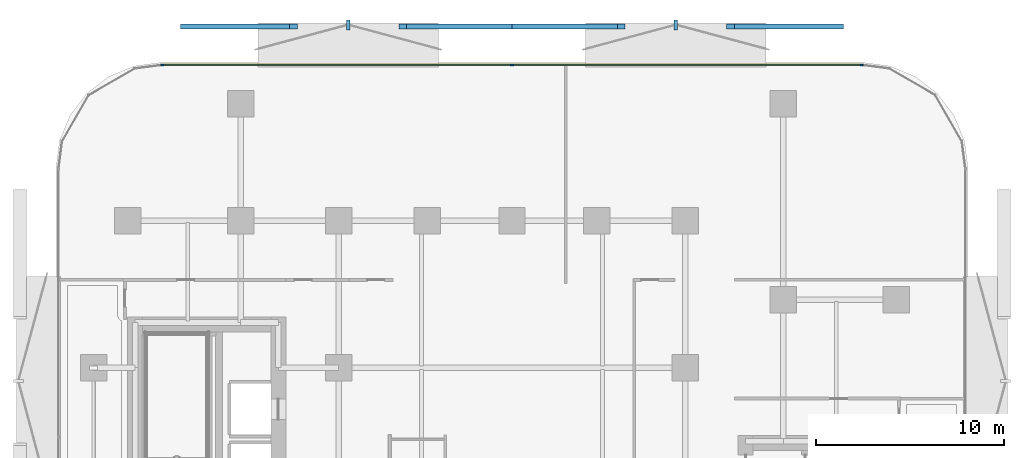
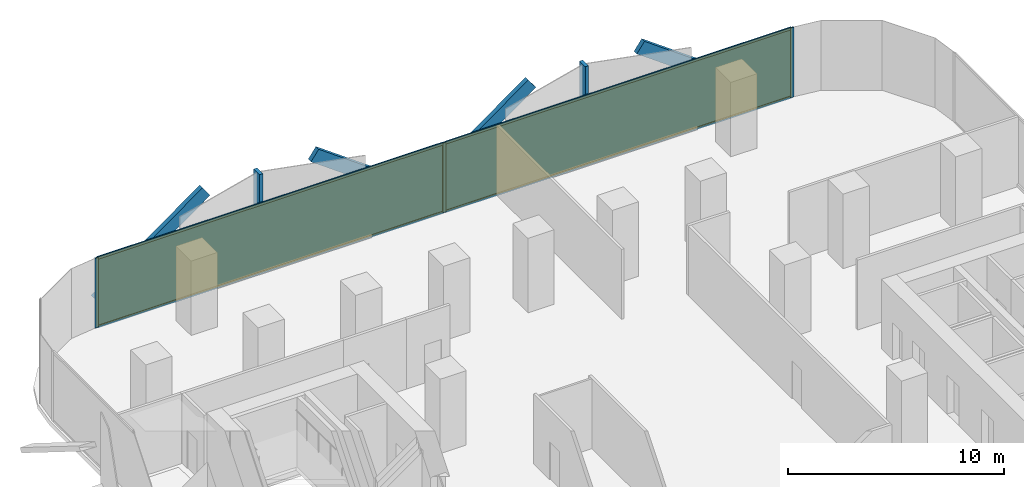
# One storey, part 10 of 16: 13 members, 2 plates, 1 curtain wall.
"""IFC4 building model written with IfcOpenShell, lengths in metres."""

import ifcopenshell
import ifcopenshell.guid

model = None  # the IFC model being written
_history = None  # IfcOwnerHistory: only IFC2X3 demands one
_inside = {}  # id of a spatial element -> (the spatial element, [elements in it])
_under = {}  # id of a project, library or spatial element -> (it, [spatial elements below it])
_declared = {}  # id of a project -> (the project, [libraries it declares])
_typed = {}  # id of a type object -> (the type object, [elements of that type])
_made_of = {}  # id of a material, layer set ... -> (it, [elements and type objects made of it])


def new_model(schema):
    """Start an empty IFC model of exactly this schema.

    Asked for "IFC4X3", IfcOpenShell would pick the latest addendum, in which some entities
    have other attributes; the version numbers below select the first issue.
    IFC2X3 requires an IfcOwnerHistory on every rooted entity: one is made here for all.
    """
    global model, _history
    if schema == "IFC4X3":
        model = ifcopenshell.file(schema_version=(4, 3, 0, 0))
    else:
        model = ifcopenshell.file(schema=schema)
    _inside.clear()
    _under.clear()
    _declared.clear()
    _typed.clear()
    _made_of.clear()
    _history = None
    if model.schema == "IFC2X3":
        org = make("IfcOrganization", Name="unknown")
        user = make(
            "IfcPersonAndOrganization",
            ThePerson=make("IfcPerson", FamilyName="unknown"),
            TheOrganization=org,
        )
        app = make(
            "IfcApplication",
            ApplicationDeveloper=org,
            Version="unknown",
            ApplicationFullName="unknown",
            ApplicationIdentifier="unknown",
        )
        _history = make(
            "IfcOwnerHistory",
            OwningUser=user,
            OwningApplication=app,
            ChangeAction="ADDED",
            CreationDate=0,
        )
    return model


def make(cls, **values):
    """One entity of the class cls with the attributes given. An attribute that is None is left unset."""
    return model.create_entity(
        cls, **{name: value for name, value in values.items() if value is not None}
    )


def rooted(cls, **values):
    """An entity with a GlobalId (a new one), such as an element, a storey or a relation."""
    return make(cls, GlobalId=ifcopenshell.guid.new(), OwnerHistory=_history, **values)


def si_unit(unit_type, name, prefix=None):
    """IfcSIUnit, for example si_unit("LENGTHUNIT", "METRE", prefix="MILLI")."""
    return make("IfcSIUnit", UnitType=unit_type, Prefix=prefix, Name=name)


def assignment(units):
    """IfcUnitAssignment: the units of a project."""
    return None if units is None else make("IfcUnitAssignment", Units=units)


def point(xyz):
    """IfcCartesianPoint."""
    return None if xyz is None else make("IfcCartesianPoint", Coordinates=xyz)


def direction(xyz):
    """IfcDirection."""
    return None if xyz is None else make("IfcDirection", DirectionRatios=xyz)


def frame(location, z_axis=None, x_axis=None):
    """IfcAxis2Placement3D, a coordinate frame: its origin and axes. An axis left out is left unset."""
    return make(
        "IfcAxis2Placement3D",
        Location=point(location),
        Axis=direction(z_axis),
        RefDirection=direction(x_axis),
    )


def frame_2d(location, x_axis=None):
    """IfcAxis2Placement2D, a coordinate frame in the plane: its origin and x axis."""
    return make(
        "IfcAxis2Placement2D", Location=point(location), RefDirection=direction(x_axis)
    )


def origin():
    """The frame at (0, 0, 0) with its axes left unset."""
    return frame((0.0, 0.0, 0.0))


def origin_2d():
    """The frame at (0, 0) in the plane with its x axis left unset."""
    return frame_2d((0.0, 0.0))


def place(relative_to, where):
    """IfcLocalPlacement: puts the frame where relative to a parent placement (None: the world)."""
    return make(
        "IfcLocalPlacement", PlacementRelTo=relative_to, RelativePlacement=where
    )


def context(
    kind, dimensions, precision=None, world=None, true_north=None, identifier=None
):
    """IfcGeometricRepresentationContext, for example the 3D "Model" context."""
    return make(
        "IfcGeometricRepresentationContext",
        ContextIdentifier=identifier,
        ContextType=kind,
        CoordinateSpaceDimension=dimensions,
        Precision=precision,
        WorldCoordinateSystem=world,
        TrueNorth=true_north,
    )


def subcontext(parent, identifier, kind, view, scale=None):
    """IfcGeometricRepresentationSubContext, for example "Body" below "Model"."""
    return make(
        "IfcGeometricRepresentationSubContext",
        ContextIdentifier=identifier,
        ContextType=kind,
        ParentContext=parent,
        TargetScale=scale,
        TargetView=view,
    )


def project(units=None, contexts=None):
    """IfcProject with its units and contexts."""
    return rooted(
        "IfcProject",
        Name="project",
        RepresentationContexts=contexts,
        UnitsInContext=assignment(units),
    )


def spatial(cls, under=None, at=None, **own):
    """A site, building, storey or space (cls), placed at a placement, below another one or the project."""
    s = rooted(cls, ObjectPlacement=at, **own)
    if under is not None:
        _under.setdefault(under.id(), (under, []))[1].append(s)
    return s


def profile(cls, at=None, kind="AREA", **sizes):
    """A parametric profile (cls). Its sizes go by their IFC names, for example OverallWidth=200.0."""
    return make(cls, ProfileType=kind, Position=at, **sizes)


def rectangle(**sizes):
    """IfcRectangleProfileDef."""
    return profile("IfcRectangleProfileDef", **sizes)


def extrude(swept, where, along, depth):
    """IfcExtrudedAreaSolid: the profile swept, set in the frame where, extruded along a direction by depth."""
    return make(
        "IfcExtrudedAreaSolid",
        SweptArea=swept,
        Position=where,
        ExtrudedDirection=direction(along),
        Depth=depth,
    )


def shape(context_of_items, identifier, shape_type, items):
    """IfcShapeRepresentation: the items that make up one representation, for example the "Body"."""
    return make(
        "IfcShapeRepresentation",
        ContextOfItems=context_of_items,
        RepresentationIdentifier=identifier,
        RepresentationType=shape_type,
        Items=items,
    )


def material(Name=None, Category=None):
    """IfcMaterial."""
    return make("IfcMaterial", Name=Name, Category=Category)


def layer(
    of_material, thickness, ventilated=None, Name=None, Category=None, Priority=None
):
    """IfcMaterialLayer: one layer of a wall or slab, of a material (None: an air gap)."""
    return make(
        "IfcMaterialLayer",
        Material=of_material,
        LayerThickness=thickness,
        IsVentilated=ventilated,
        Name=Name,
        Category=Category,
        Priority=Priority,
    )


def layer_set(layers, Name=None):
    """IfcMaterialLayerSet."""
    return make("IfcMaterialLayerSet", MaterialLayers=layers, LayerSetName=Name)


def material_profile(
    of_material, cross_section, Name=None, Category=None, Priority=None
):
    """IfcMaterialProfile: a cross section and its material."""
    return make(
        "IfcMaterialProfile",
        Name=Name,
        Material=of_material,
        Profile=cross_section,
        Priority=Priority,
        Category=Category,
    )


def profile_set(profiles, Name=None, composite=None):
    """IfcMaterialProfileSet."""
    return make(
        "IfcMaterialProfileSet",
        Name=Name,
        MaterialProfiles=profiles,
        CompositeProfile=composite,
    )


def made_of(thing, what):
    """Note that an element or type object is made of a material, layer set ...; save() writes the relation."""
    if what is not None:
        _made_of.setdefault(what.id(), (what, []))[1].append(thing)
    return thing


def type_object(cls, material=None, **own):
    """A type object (cls), such as IfcWallType, which elements share."""
    return made_of(rooted(cls, **own), material)


def element(
    cls,
    number,
    at=None,
    inside=None,
    cuts=None,
    type_object=None,
    material=None,
    context=None,
    identifier="Body",
    shape_type=None,
    held_by="IfcProductDefinitionShape",
    body=None,
    shapes=None,
    **own,
):
    """One element of the class cls, such as IfcWall. Its Tag is "e" and its number.

    at: its placement. inside: the storey or other place that contains it. cuts: it is an
    opening in that element (IfcRelVoidsElement). A single representation is given by context,
    identifier, shape_type and body (its items); several are given by shapes. held_by: the class
    of the entity that holds the representations. save() writes the other relations.
    """
    e = rooted(cls, Tag="e%d" % number, ObjectPlacement=at, **own)
    if body is not None:
        shapes = [shape(context, identifier, shape_type, body)]
    if shapes is not None:
        e.Representation = make(held_by, Representations=shapes)
    if inside is not None:
        _inside.setdefault(inside.id(), (inside, []))[1].append(e)
    if cuts is not None:
        rooted(
            "IfcRelVoidsElement", RelatingBuildingElement=cuts, RelatedOpeningElement=e
        )
    if type_object is not None:
        _typed.setdefault(type_object.id(), (type_object, []))[1].append(e)
    return made_of(e, material)


def aggregate(whole, parts):
    """IfcRelAggregates: a whole, such as a stair, and the parts it consists of."""
    return rooted("IfcRelAggregates", RelatingObject=whole, RelatedObjects=parts)


def save(model, path):
    """Write the relations noted so far, then the file.

    IfcRelAggregates (storeys below a building ...), IfcRelContainedInSpatialStructure (elements
    in a storey), IfcRelDefinesByType, IfcRelAssociatesMaterial and IfcRelDeclares: one each for
    every whole, place, type object, material and project.
    """
    for whole, parts in _under.values():
        aggregate(whole, parts)
    for where, things in _inside.values():
        rooted(
            "IfcRelContainedInSpatialStructure",
            RelatedElements=things,
            RelatingStructure=where,
        )
    for kind, things in _typed.values():
        rooted("IfcRelDefinesByType", RelatedObjects=things, RelatingType=kind)
    for what, things in _made_of.values():
        rooted("IfcRelAssociatesMaterial", RelatedObjects=things, RelatingMaterial=what)
    for by, libraries in _declared.values():
        rooted("IfcRelDeclares", RelatingContext=by, RelatedDefinitions=libraries)
    model.write(path)


model = new_model("IFC4")

# Units and contexts
model_context = context("Model", 3, precision=1e-05, world=origin(), true_north=direction((0.0, 1.0)))
body_context = subcontext(model_context, "Body", "Model", "MODEL_VIEW")
ifc_project = project(units=[si_unit("LENGTHUNIT", "METRE"), si_unit("AREAUNIT", "SQUARE_METRE"), si_unit("VOLUMEUNIT", "CUBIC_METRE"), si_unit("PLANEANGLEUNIT", "RADIAN"), si_unit("MASSUNIT", "GRAM", prefix="KILO")], contexts=[model_context])

# Member
ifc_material_1 = material(Name="Anodised Bronze Aluminium 6063-T6", Category="aluminium")
ifc_material_profile_1 = material_profile(ifc_material_1, rectangle(XDim=0.260009765625, YDim=0.699951171875, at=origin_2d()))
ifc_profile_set_1 = profile_set([ifc_material_profile_1], Name="Anodised Bronze Aluminium 6063-T6")
member_type_1 = type_object("IfcMemberType", Name="Bronze Diamond Solar-Screen Lattice Rib BDL-700", PredefinedType="MULLION", material=ifc_profile_set_1)
site_placement = place(None, origin())
building_placement = place(site_placement, origin())
storey_placement = place(building_placement, frame((0.0, 0.0, 26.0)))
member_1_placement = place(storey_placement, frame((-17.390869140625, 28.89990234375, -0.1298828125), z_axis=(0.80979516686, 0.0, 0.58671269607), x_axis=(0.0, 1.0, 0.0)))
member_1 = element("IfcMember", 1, at=member_1_placement, type_object=member_type_1, Name="L06 Bronze Diamond Solar Screen Lattice Rib 5A", PredefinedType="MULLION", context=body_context, shape_type="SweptSolid", body=[
    extrude(rectangle(XDim=0.260009765625, YDim=0.699951171875, at=origin_2d()), origin(), (0.0, 0.0, 1.0), 7.158447265625),
])

member_2_placement = place(storey_placement, frame((0.0, 28.89990234375, -0.1298828125), z_axis=(-0.80979516686, 0.0, 0.58671269607), x_axis=(0.0, -1.0, 0.0)))
member_2 = element("IfcMember", 2, at=member_2_placement, type_object=member_type_1, Name="L06 Bronze Diamond Solar Screen Lattice Rib 5B", PredefinedType="MULLION", context=body_context, shape_type="SweptSolid", body=[
    extrude(rectangle(XDim=0.260009765625, YDim=0.699951171875, at=origin_2d()), origin(), (0.0, 0.0, 1.0), 7.158447265625),
])

member_3_placement = place(storey_placement, frame((0.0, 28.89990234375, -0.1298828125), z_axis=(0.80979516686, 0.0, 0.58671269607), x_axis=(0.0, 1.0, 0.0)))
member_3 = element("IfcMember", 3, at=member_3_placement, type_object=member_type_1, Name="L06 Bronze Diamond Solar Screen Lattice Rib 6A", PredefinedType="MULLION", context=body_context, shape_type="SweptSolid", body=[
    extrude(rectangle(XDim=0.260009765625, YDim=0.699951171875, at=origin_2d()), origin(), (0.0, 0.0, 1.0), 7.158447265625),
])

member_4_placement = place(storey_placement, frame((17.390869140625, 28.89990234375, -0.1298828125), z_axis=(-0.80979516686, 0.0, 0.58671269607), x_axis=(0.0, -1.0, 0.0)))
member_4 = element("IfcMember", 4, at=member_4_placement, type_object=member_type_1, Name="L06 Bronze Diamond Solar Screen Lattice Rib 6B", PredefinedType="MULLION", context=body_context, shape_type="SweptSolid", body=[
    extrude(rectangle(XDim=0.260009765625, YDim=0.699951171875, at=origin_2d()), origin(), (0.0, 0.0, 1.0), 7.158447265625),
])

ifc_material_2 = material(Name="Anodised Bronze Aluminium 6063-T6", Category="aluminium")
ifc_material_profile_2 = material_profile(ifc_material_2, rectangle(XDim=0.179931640625, YDim=0.5400390625, at=origin_2d()))
ifc_profile_set_2 = profile_set([ifc_material_profile_2], Name="Anodised Bronze Aluminium 6063-T6")
member_type_2 = type_object("IfcMemberType", Name="Bronze Solar-Screen Vertical Fold Fin BSF-540", PredefinedType="MULLION", material=ifc_profile_set_2)
member_5_placement = place(storey_placement, frame((-8.6953125, 28.97998046875, -0.1298828125), z_axis=(0.0, 0.0, 1.0), x_axis=(1.0, 0.0, 0.0)))
member_5 = element("IfcMember", 5, at=member_5_placement, type_object=member_type_2, Name="L06 Bronze Solar Screen Vertical Fin 5", PredefinedType="MULLION", context=body_context, shape_type="SweptSolid", body=[
    extrude(rectangle(XDim=0.179931640625, YDim=0.5400390625, at=origin_2d()), origin(), (0.0, 0.0, 1.0), 4.199951171875),
])

member_6_placement = place(storey_placement, frame((8.6953125, 28.97998046875, -0.1298828125), z_axis=(0.0, 0.0, 1.0), x_axis=(1.0, 0.0, 0.0)))
member_6 = element("IfcMember", 6, at=member_6_placement, type_object=member_type_2, Name="L06 Bronze Solar Screen Vertical Fin 6", PredefinedType="MULLION", context=body_context, shape_type="SweptSolid", body=[
    extrude(rectangle(XDim=0.179931640625, YDim=0.5400390625, at=origin_2d()), origin(), (0.0, 0.0, 1.0), 4.199951171875),
])

ifc_material_3 = material(Name="Anodised Bronze Aluminium 6063-T6", Category="aluminium")
ifc_material_profile_3 = material_profile(ifc_material_3, rectangle(XDim=0.06494140625, YDim=0.179931640625, at=origin_2d()))
ifc_profile_set_3 = profile_set([ifc_material_profile_3], Name="Anodised Bronze Aluminium 6063-T6")
member_type_3 = type_object("IfcMemberType", Name="CW-Z1 Mullion 65x180", PredefinedType="MULLION", material=ifc_profile_set_3)
member_7_placement = place(storey_placement, frame((-18.558349609375, 26.860107421875, 0.0), z_axis=(0.0, 0.0, 1.0), x_axis=(0.0, 1.0, 0.0)))
member_7 = element("IfcMember", 7, at=member_7_placement, type_object=member_type_3, Name="CW-Z1 mullion 1", PredefinedType="MULLION", context=body_context, shape_type="SweptSolid", body=[
    extrude(rectangle(XDim=0.06494140625, YDim=0.179931640625, at=origin_2d()), origin(), (0.0, 0.0, 1.0), 3.93994140625),
])

member_8_placement = place(storey_placement, frame((0.0, 26.860107421875, 0.0), z_axis=(0.0, 0.0, 1.0), x_axis=(0.0, 1.0, 0.0)))
member_8 = element("IfcMember", 8, at=member_8_placement, type_object=member_type_3, Name="CW-Z1 mullion 2", PredefinedType="MULLION", context=body_context, shape_type="SweptSolid", body=[
    extrude(rectangle(XDim=0.06494140625, YDim=0.179931640625, at=origin_2d()), origin(), (0.0, 0.0, 1.0), 3.93994140625),
])

member_9_placement = place(storey_placement, frame((18.558349609375, 26.860107421875, 0.0), z_axis=(0.0, 0.0, 1.0), x_axis=(0.0, 1.0, 0.0)))
member_9 = element("IfcMember", 9, at=member_9_placement, type_object=member_type_3, Name="CW-Z1 mullion 3", PredefinedType="MULLION", context=body_context, shape_type="SweptSolid", body=[
    extrude(rectangle(XDim=0.06494140625, YDim=0.179931640625, at=origin_2d()), origin(), (0.0, 0.0, 1.0), 3.93994140625),
])

ifc_material_4 = material(Name="Anodised Bronze Aluminium 6063-T6", Category="aluminium")
ifc_material_profile_4 = material_profile(ifc_material_4, rectangle(XDim=0.06494140625, YDim=0.139892578125, at=origin_2d()))
ifc_profile_set_4 = profile_set([ifc_material_profile_4], Name="Anodised Bronze Aluminium 6063-T6")
member_type_4 = type_object("IfcMemberType", Name="CW-Z1 Transom 65x140", PredefinedType="USERDEFINED", material=ifc_profile_set_4)
member_10_placement = place(storey_placement, frame((-18.52587890625, 26.860107421875, 0.032470703125), z_axis=(1.0, 0.0, 0.0), x_axis=(0.0, 1.0, 0.0)))
member_10 = element("IfcMember", 10, at=member_10_placement, type_object=member_type_4, Name="CW-Z1 transom 1.1", ObjectType="TRANSOM", PredefinedType="USERDEFINED", context=body_context, shape_type="SweptSolid", body=[
    extrude(rectangle(XDim=0.06494140625, YDim=0.139892578125, at=origin_2d()), origin(), (0.0, 0.0, 1.0), 18.493408203125),
])

member_11_placement = place(storey_placement, frame((-18.52587890625, 26.860107421875, 3.907470703125), z_axis=(1.0, 0.0, 0.0), x_axis=(0.0, 1.0, 0.0)))
member_11 = element("IfcMember", 11, at=member_11_placement, type_object=member_type_4, Name="CW-Z1 transom 1.2", ObjectType="TRANSOM", PredefinedType="USERDEFINED", context=body_context, shape_type="SweptSolid", body=[
    extrude(rectangle(XDim=0.06494140625, YDim=0.139892578125, at=origin_2d()), origin(), (0.0, 0.0, 1.0), 18.493408203125),
])

member_12_placement = place(storey_placement, frame((0.032470703125, 26.860107421875, 0.032470703125), z_axis=(1.0, 0.0, 0.0), x_axis=(0.0, 1.0, 0.0)))
member_12 = element("IfcMember", 12, at=member_12_placement, type_object=member_type_4, Name="CW-Z1 transom 2.1", ObjectType="TRANSOM", PredefinedType="USERDEFINED", context=body_context, shape_type="SweptSolid", body=[
    extrude(rectangle(XDim=0.06494140625, YDim=0.139892578125, at=origin_2d()), origin(), (0.0, 0.0, 1.0), 18.493408203125),
])

member_13_placement = place(storey_placement, frame((0.032470703125, 26.860107421875, 3.907470703125), z_axis=(1.0, 0.0, 0.0), x_axis=(0.0, 1.0, 0.0)))
member_13 = element("IfcMember", 13, at=member_13_placement, type_object=member_type_4, Name="CW-Z1 transom 2.2", ObjectType="TRANSOM", PredefinedType="USERDEFINED", context=body_context, shape_type="SweptSolid", body=[
    extrude(rectangle(XDim=0.06494140625, YDim=0.139892578125, at=origin_2d()), origin(), (0.0, 0.0, 1.0), 18.493408203125),
])

# Plate
ifc_material_5 = material(Name="Low-E Solar Control Laminated Glass", Category="glass")
ifc_layer_1 = layer(ifc_material_5, 0.028076171875, Name="Low-E Solar Control Laminated Glass")
ifc_layer_set_1 = layer_set([ifc_layer_1], Name="Low-E Solar Control Laminated Glass")
plate_type = type_object("IfcPlateType", Name="CW-Z1 Low-E Double Glazed Panel 28mm", PredefinedType="CURTAIN_PANEL", material=ifc_layer_set_1)
plate_1_placement = place(storey_placement, frame((-9.279052734375, 26.860107421875, 0.06494140625), z_axis=(0.0, 0.0, 1.0), x_axis=(1.0, 0.0, 0.0)))
plate_1 = element("IfcPlate", 14, at=plate_1_placement, type_object=plate_type, Name="CW-Z1 panel 1.1", PredefinedType="CURTAIN_PANEL", context=body_context, shape_type="SweptSolid", body=[
    extrude(rectangle(XDim=18.493408203125, YDim=0.028076171875, at=origin_2d()), origin(), (0.0, 0.0, 1.0), 3.81005859375),
])

plate_2_placement = place(storey_placement, frame((9.279052734375, 26.860107421875, 0.06494140625), z_axis=(0.0, 0.0, 1.0), x_axis=(1.0, 0.0, 0.0)))
plate_2 = element("IfcPlate", 15, at=plate_2_placement, type_object=plate_type, Name="CW-Z1 panel 2.1", PredefinedType="CURTAIN_PANEL", context=body_context, shape_type="SweptSolid", body=[
    extrude(rectangle(XDim=18.493408203125, YDim=0.028076171875, at=origin_2d()), origin(), (0.0, 0.0, 1.0), 3.81005859375),
])

# Site, building, storey
site = spatial("IfcSite", under=ifc_project, at=site_placement, CompositionType="ELEMENT")
building = spatial("IfcBuilding", under=site, at=building_placement, Name="Khairoan Windgate Tower", CompositionType="ELEMENT")
storey = spatial("IfcBuildingStorey", under=building, at=storey_placement, Name="L06", CompositionType="ELEMENT", Elevation=26.0)

# Curtain wall
ifc_material_6 = material(Name="Anodised Bronze Aluminium 6063-T6", Category="aluminium")
ifc_layer_2 = layer(ifc_material_6, 0.179931640625, Name="Anodised Bronze Aluminium 6063-T6")
ifc_layer_set_2 = layer_set([ifc_layer_2], Name="Anodised Bronze Aluminium 6063-T6")
curtain_wall_type = type_object("IfcCurtainWallType", Name="Low-Rise Office Unitised Curtain Wall CW-Z1", PredefinedType="NOTDEFINED", material=ifc_layer_set_2)
curtain_wall_placement = place(storey_placement, frame((-18.5908203125, 26.860107421875, 0.0), z_axis=(0.0, 0.0, 1.0), x_axis=(1.0, 0.0, 0.0)))
curtain_wall = element("IfcCurtainWall", 16, at=curtain_wall_placement, inside=storey, type_object=curtain_wall_type, Name="L06 Unitised Curtain Wall 11", PredefinedType="NOTDEFINED", context=body_context, shape_type="SweptSolid", body=[
    extrude(rectangle(XDim=37.181640625, YDim=0.010009765625, at=frame_2d((18.5908203125, 0.0))), origin(), (0.0, 0.0, 1.0), 3.93994140625),
])

aggregate(curtain_wall, [member_7, member_8, member_9, member_10, member_11, plate_1, member_12, member_13, plate_2, member_1, member_2, member_5, member_3, member_4, member_6])

save(model, "model.ifc")
